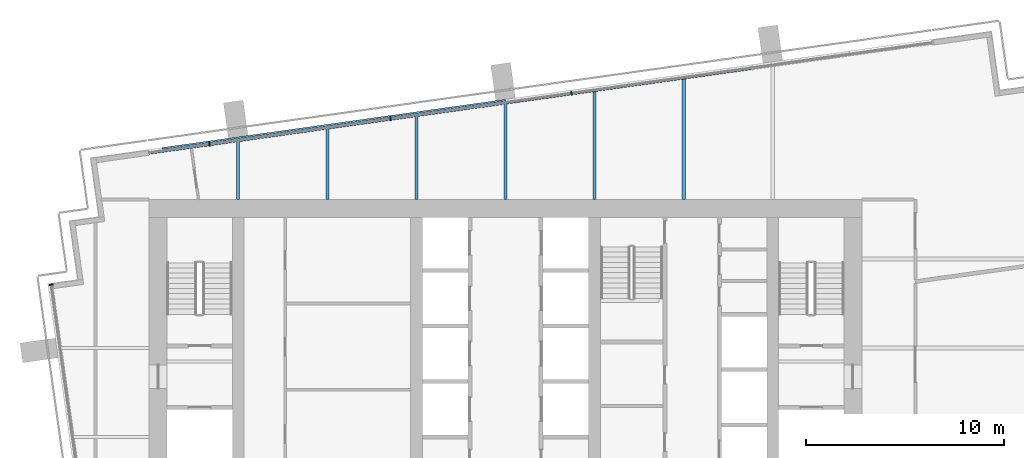
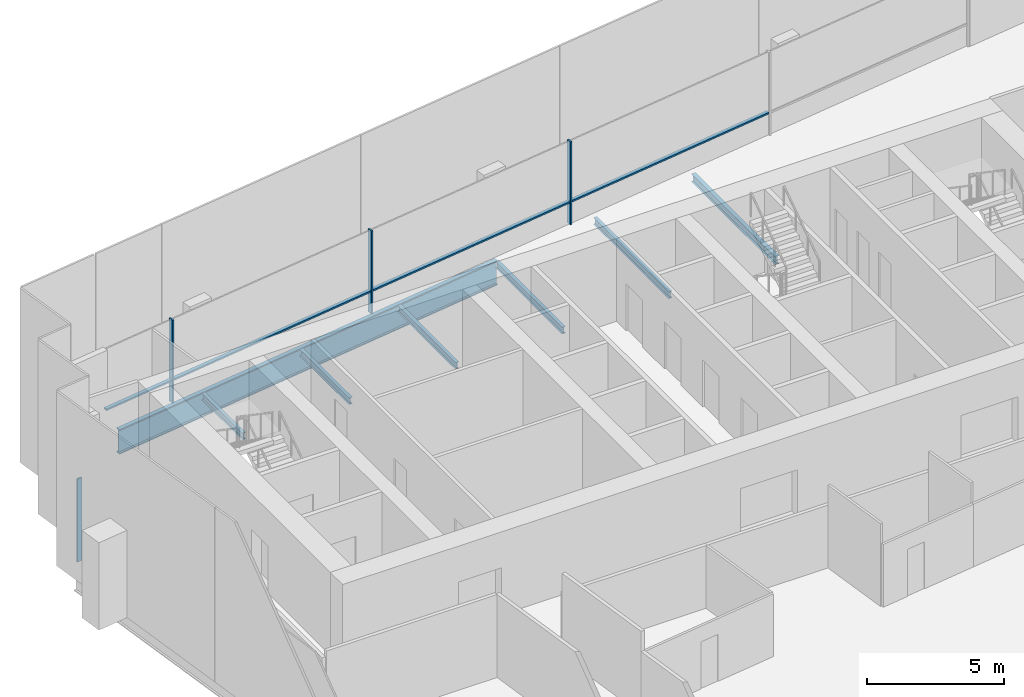
# One storey, part 6 of 17: 8 members, 7 beams, 2 elements without a shape of their own.
"""IFC4 building model written with IfcOpenShell, lengths in metres."""

from ifc_helpers import new_model, si_unit, direction, frame, origin, origin_2d, place, context, subcontext, project, spatial, rectangle, i_section, extrude, material, layer, layer_set, material_profile, profile_set, type_object, element, aggregate, save


model = new_model("IFC4")

# Units and contexts
model_context = context("Model", 3, precision=1e-05, world=origin(), true_north=direction((0.0, 1.0)))
body_context = subcontext(model_context, "Body", "Model", "MODEL_VIEW")
ifc_project = project(units=[si_unit("LENGTHUNIT", "METRE"), si_unit("AREAUNIT", "SQUARE_METRE"), si_unit("VOLUMEUNIT", "CUBIC_METRE"), si_unit("PLANEANGLEUNIT", "RADIAN"), si_unit("MASSUNIT", "GRAM", prefix="KILO")], contexts=[model_context])

# Site, building, storey
site_placement = place(None, origin())
site = spatial("IfcSite", under=ifc_project, at=site_placement, CompositionType="ELEMENT")
building_placement = place(site_placement, origin())
building = spatial("IfcBuilding", under=site, at=building_placement, Name="Rattan Terrace Tower", CompositionType="ELEMENT")
storey_placement = place(building_placement, frame((0.0, 0.0, 213.5)))
storey = spatial("IfcBuildingStorey", under=building, at=storey_placement, Name="L48", CompositionType="ELEMENT", Elevation=213.5)

# Beams
ifc_material_1 = material(Name="Steel S460", Category="steel")
ifc_material_profile_1 = material_profile(ifc_material_1, i_section(OverallWidth=0.179931640625, OverallDepth=1.10009765625, WebThickness=0.01611328125, FlangeThickness=0.050048828125, at=origin_2d()), Name="PG 1100x180-16-50")
ifc_profile_set_1 = profile_set([ifc_material_profile_1], Name="Steel S460")
beam_type_1 = type_object("IfcBeamType", Name="Frame edge girder PG 1100x180-16-50", PredefinedType="SPANDREL", material=ifc_profile_set_1)
beam_1_placement = place(storey_placement, frame((-17.347900390625, 10.031005859375, -0.75), z_axis=(0.990267797657, 0.13917502981, 0.0), x_axis=(-0.13917502981, 0.990267797657, 0.0)))
element("IfcBeam", 1, at=beam_1_placement, inside=storey, type_object=beam_type_1, Name="gdr-L48-005", PredefinedType="SPANDREL", context=body_context, shape_type="SweptSolid", body=[
    extrude(i_section(OverallWidth=0.179931640625, OverallDepth=1.10009765625, WebThickness=0.01611328125, FlangeThickness=0.050048828125, at=origin_2d()), origin(), (0.0, 0.0, 1.0), 17.531494140625),
])
ifc_material_2 = material(Name="Steel S355", Category="steel")
ifc_material_profile_2 = material_profile(ifc_material_2, i_section(OverallWidth=0.14990234375, OverallDepth=0.300048828125, WebThickness=0.007080078125, FlangeThickness=0.0107421875, FilletRadius=0.014892578125, at=origin_2d()), Name="IPE 300")
ifc_profile_set_2 = profile_set([ifc_material_profile_2], Name="Steel S355")
beam_type_2 = type_object("IfcBeamType", Name="Frame floor beam IPE 300", PredefinedType="JOIST", material=ifc_profile_set_2)
beam_2_placement = place(storey_placement, frame((-13.5, 7.5, -0.35009765625), z_axis=(0.0, 1.0, 0.0), x_axis=(-1.0, 0.0, 0.0)))
element("IfcBeam", 2, at=beam_2_placement, inside=storey, type_object=beam_type_2, Name="bm-L48-014", PredefinedType="JOIST", context=body_context, shape_type="SweptSolid", body=[
    extrude(i_section(OverallWidth=0.14990234375, OverallDepth=0.300048828125, WebThickness=0.007080078125, FlangeThickness=0.0107421875, FilletRadius=0.014892578125, at=origin_2d()), origin(), (0.0, 0.0, 1.0), 2.969970703125),
])
beam_3_placement = place(storey_placement, frame((-9.0, 7.5, -0.35009765625), z_axis=(0.0, 1.0, 0.0), x_axis=(-1.0, 0.0, 0.0)))
element("IfcBeam", 3, at=beam_3_placement, inside=storey, type_object=beam_type_2, Name="bm-L48-015", PredefinedType="JOIST", context=body_context, shape_type="SweptSolid", body=[
    extrude(i_section(OverallWidth=0.14990234375, OverallDepth=0.300048828125, WebThickness=0.007080078125, FlangeThickness=0.0107421875, FilletRadius=0.014892578125, at=origin_2d()), origin(), (0.0, 0.0, 1.0), 3.60302734375),
])
beam_4_placement = place(storey_placement, frame((-4.5, 7.5, -0.35009765625), z_axis=(0.0, 1.0, 0.0), x_axis=(-1.0, 0.0, 0.0)))
element("IfcBeam", 4, at=beam_4_placement, inside=storey, type_object=beam_type_2, Name="bm-L48-016", PredefinedType="JOIST", context=body_context, shape_type="SweptSolid", body=[
    extrude(i_section(OverallWidth=0.14990234375, OverallDepth=0.300048828125, WebThickness=0.007080078125, FlangeThickness=0.0107421875, FilletRadius=0.014892578125, at=origin_2d()), origin(), (0.0, 0.0, 1.0), 4.235107421875),
])
beam_5_placement = place(storey_placement, frame((0.0, 7.5, -0.35009765625), z_axis=(0.0, 1.0, 0.0), x_axis=(-1.0, 0.0, 0.0)))
element("IfcBeam", 5, at=beam_5_placement, inside=storey, type_object=beam_type_2, Name="bm-L48-017", PredefinedType="JOIST", context=body_context, shape_type="SweptSolid", body=[
    extrude(i_section(OverallWidth=0.14990234375, OverallDepth=0.300048828125, WebThickness=0.007080078125, FlangeThickness=0.0107421875, FilletRadius=0.014892578125, at=origin_2d()), origin(), (0.0, 0.0, 1.0), 4.867919921875),
])
beam_6_placement = place(storey_placement, frame((4.5, 7.5, -0.35009765625), z_axis=(0.0, 1.0, 0.0), x_axis=(-1.0, 0.0, 0.0)))
element("IfcBeam", 6, at=beam_6_placement, inside=storey, type_object=beam_type_2, Name="bm-L48-018", PredefinedType="JOIST", context=body_context, shape_type="SweptSolid", body=[
    extrude(i_section(OverallWidth=0.14990234375, OverallDepth=0.300048828125, WebThickness=0.007080078125, FlangeThickness=0.0107421875, FilletRadius=0.014892578125, at=origin_2d()), origin(), (0.0, 0.0, 1.0), 5.5),
])
ifc_material_3 = material(Name="Steel S355", Category="steel")
ifc_material_profile_3 = material_profile(ifc_material_3, i_section(OverallWidth=0.169921875, OverallDepth=0.360107421875, WebThickness=0.008056640625, FlangeThickness=0.0126953125, FilletRadius=0.01806640625, at=origin_2d()), Name="IPE 360")
ifc_profile_set_3 = profile_set([ifc_material_profile_3], Name="Steel S355")
beam_type_3 = type_object("IfcBeamType", Name="Frame floor beam IPE 360", PredefinedType="JOIST", material=ifc_profile_set_3)
beam_7_placement = place(storey_placement, frame((9.0, 7.5, -0.3798828125), z_axis=(0.0, 1.0, 0.0), x_axis=(-1.0, 0.0, 0.0)))
element("IfcBeam", 7, at=beam_7_placement, inside=storey, type_object=beam_type_3, Name="bm-L48-019", PredefinedType="JOIST", context=body_context, shape_type="SweptSolid", body=[
    extrude(i_section(OverallWidth=0.169921875, OverallDepth=0.360107421875, WebThickness=0.008056640625, FlangeThickness=0.0126953125, FilletRadius=0.01806640625, at=origin_2d()), origin(), (0.0, 0.0, 1.0), 6.131103515625),
])

# Curtain wall, members
ifc_material_4 = material(Name="Aluminium and laminated glass", Category="aluminium")
ifc_layer = layer(ifc_material_4, 0.199951171875)
ifc_layer_set = layer_set([ifc_layer], Name="High-Zone Unitised Curtain Wall")
curtain_wall_type = type_object("IfcCurtainWallType", Name="High-Zone Unitised Curtain Wall", PredefinedType="NOTDEFINED", material=ifc_layer_set)
curtain_wall_1_placement = place(storey_placement, origin())
curtain_wall_1 = element("IfcCurtainWall", 8, at=curtain_wall_1_placement, inside=storey, type_object=curtain_wall_type, Name="High-zone curtain wall L48-2", PredefinedType="NOTDEFINED")
ifc_material_5 = material(Name="Aluminium", Category="aluminium")
ifc_material_profile_4 = material_profile(ifc_material_5, rectangle(XDim=0.070068359375, YDim=0.199951171875, at=origin_2d()), Name="Aluminium 70x200")
ifc_profile_set_4 = profile_set([ifc_material_profile_4], Name="Aluminium")
member_type_1 = type_object("IfcMemberType", Name="High-Zone CW Mullion 70x200", PredefinedType="MULLION", material=ifc_profile_set_4)
member_1_placement = place(storey_placement, frame((3.332275390625, 12.856201171875, 0.0), z_axis=(0.0, 0.0, 1.0), x_axis=(-0.990267457022, -0.139177453499, 0.0)))
member_1 = element("IfcMember", 9, at=member_1_placement, type_object=member_type_1, Name="Mullion cwl-L48-002.3", PredefinedType="MULLION", context=body_context, shape_type="SweptSolid", body=[
    extrude(rectangle(XDim=0.070068359375, YDim=0.199951171875, at=origin_2d()), origin(), (0.0, 0.0, 1.0), 3.699951171875),
])
member_2_placement = place(storey_placement, frame((-5.808837890625, 11.571533203125, 0.0), z_axis=(0.0, 0.0, 1.0), x_axis=(-0.990267457022, -0.139177453499, 0.0)))
member_2 = element("IfcMember", 10, at=member_2_placement, type_object=member_type_1, Name="Mullion cwl-L48-002.4", PredefinedType="MULLION", context=body_context, shape_type="SweptSolid", body=[
    extrude(rectangle(XDim=0.070068359375, YDim=0.199951171875, at=origin_2d()), origin(), (0.0, 0.0, 1.0), 3.699951171875),
])
member_3_placement = place(storey_placement, frame((-14.949951171875, 10.28662109375, 0.0), z_axis=(0.0, 0.0, 1.0), x_axis=(-0.990267457022, -0.139177453499, 0.0)))
member_3 = element("IfcMember", 11, at=member_3_placement, type_object=member_type_1, Name="Mullion cwl-L48-002.5", PredefinedType="MULLION", context=body_context, shape_type="SweptSolid", body=[
    extrude(rectangle(XDim=0.070068359375, YDim=0.199951171875, at=origin_2d()), origin(), (0.0, 0.0, 1.0), 3.699951171875),
])

# Curtain wall, member
curtain_wall_2_placement = place(storey_placement, origin())
curtain_wall_2 = element("IfcCurtainWall", 12, at=curtain_wall_2_placement, inside=storey, type_object=curtain_wall_type, Name="High-zone curtain wall L48-3", PredefinedType="NOTDEFINED")
member_4_placement = place(storey_placement, frame((-22.946533203125, 3.1943359375, 0.0), z_axis=(0.0, 0.0, 1.0), x_axis=(0.139186165309, -0.990266232579, 0.0)))
member_4 = element("IfcMember", 13, at=member_4_placement, type_object=member_type_1, Name="Mullion cwl-L48-003.1", PredefinedType="MULLION", context=body_context, shape_type="SweptSolid", body=[
    extrude(rectangle(XDim=0.070068359375, YDim=0.199951171875, at=origin_2d()), origin(), (0.0, 0.0, 1.0), 3.699951171875),
])
aggregate(curtain_wall_2, [member_4])

# Member
ifc_material_6 = material(Name="Aluminium", Category="aluminium")
ifc_material_profile_5 = material_profile(ifc_material_6, rectangle(XDim=0.159912109375, YDim=0.070068359375, at=origin_2d()), Name="Aluminium 160x70")
ifc_profile_set_5 = profile_set([ifc_material_profile_5], Name="Aluminium")
member_type_2 = type_object("IfcMemberType", Name="High-Zone CW Transom 160x70", PredefinedType="USERDEFINED", material=ifc_profile_set_5)
member_5_placement = place(storey_placement, frame((12.438720703125, 14.135986328125, 1.0), z_axis=(-0.990268863305, -0.13916744723, 0.0), x_axis=(0.13916744723, -0.990268863305, 0.0)))
member_5 = element("IfcMember", 14, at=member_5_placement, type_object=member_type_2, Name="Transom cwl-L48-002.2", ObjectType="TRANSOM", PredefinedType="USERDEFINED", context=body_context, shape_type="SweptSolid", body=[
    extrude(rectangle(XDim=0.159912109375, YDim=0.070068359375, at=origin_2d()), origin(), (0.0, 0.0, 1.0), 9.160888671875),
])

member_6_placement = place(storey_placement, frame((3.297607421875, 12.851318359375, 1.0), z_axis=(-0.990265190222, -0.139193581154, 0.0), x_axis=(0.139193581154, -0.990265190222, 0.0)))
member_6 = element("IfcMember", 15, at=member_6_placement, type_object=member_type_2, Name="Transom cwl-L48-002.3", ObjectType="TRANSOM", PredefinedType="USERDEFINED", context=body_context, shape_type="SweptSolid", body=[
    extrude(rectangle(XDim=0.159912109375, YDim=0.070068359375, at=origin_2d()), origin(), (0.0, 0.0, 1.0), 9.160888671875),
])

member_7_placement = place(storey_placement, frame((-5.843505859375, 11.566650390625, 1.0), z_axis=(-0.990265190222, -0.139193581154, 0.0), x_axis=(0.139193581154, -0.990265190222, 0.0)))
member_7 = element("IfcMember", 16, at=member_7_placement, type_object=member_type_2, Name="Transom cwl-L48-002.4", ObjectType="TRANSOM", PredefinedType="USERDEFINED", context=body_context, shape_type="SweptSolid", body=[
    extrude(rectangle(XDim=0.159912109375, YDim=0.070068359375, at=origin_2d()), origin(), (0.0, 0.0, 1.0), 9.160888671875),
])

member_8_placement = place(storey_placement, frame((-14.984619140625, 10.28173828125, 1.0), z_axis=(-0.990269723995, -0.139161322712, 0.0), x_axis=(0.139161322712, -0.990269723995, 0.0)))
member_8 = element("IfcMember", 17, at=member_8_placement, type_object=member_type_2, Name="Transom cwl-L48-002.5", ObjectType="TRANSOM", PredefinedType="USERDEFINED", context=body_context, shape_type="SweptSolid", body=[
    extrude(rectangle(XDim=0.159912109375, YDim=0.070068359375, at=origin_2d()), origin(), (0.0, 0.0, 1.0), 3.040283203125),
])

aggregate(curtain_wall_1, [member_1, member_2, member_3, member_5, member_6, member_7, member_8])

save(model, "model.ifc")
